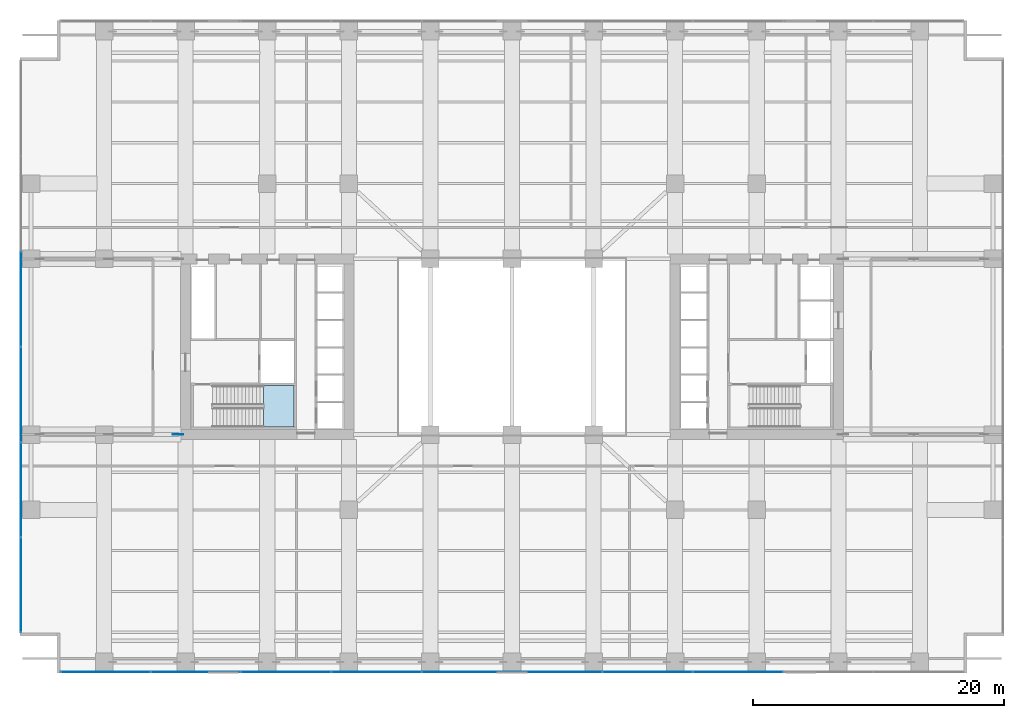
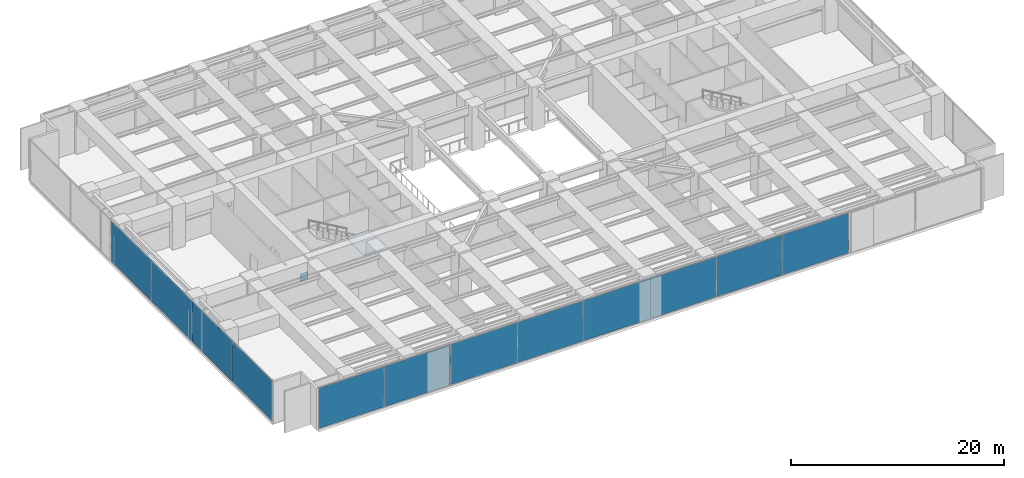
# One storey, part 15 of 31: 13 plates, 1 slab, 3 elements without a shape of their own.
"""IFC4 building model written with IfcOpenShell, lengths in metres."""

from ifc_helpers import new_model, si_unit, direction, frame, origin, origin_2d, place, context, subcontext, project, spatial, polyline, rectangle, outline, extrude, material, layer, layer_set, type_object, element, aggregate, save


model = new_model("IFC4")

# Units and contexts
model_context = context("Model", 3, precision=1e-05, world=origin(), true_north=direction((0.0, 1.0)))
body_context = subcontext(model_context, "Body", "Model", "MODEL_VIEW")
ifc_project = project(units=[si_unit("LENGTHUNIT", "METRE"), si_unit("AREAUNIT", "SQUARE_METRE"), si_unit("VOLUMEUNIT", "CUBIC_METRE"), si_unit("PLANEANGLEUNIT", "RADIAN"), si_unit("MASSUNIT", "GRAM", prefix="KILO")], contexts=[model_context])

# Site, building, storey
site_placement = place(None, origin())
site = spatial("IfcSite", under=ifc_project, at=site_placement, CompositionType="ELEMENT")
building_placement = place(site_placement, origin())
building = spatial("IfcBuilding", under=site, at=building_placement, Name="Putna Gate Headquarters", CompositionType="ELEMENT")
storey_placement = place(building_placement, frame((0.0, 0.0, 81.0)))
storey = spatial("IfcBuildingStorey", under=building, at=storey_placement, Name="L19", CompositionType="ELEMENT", Elevation=81.0)

# Stair, slab
ifc_material_1 = material(Name="Concrete C40/50", Category="concrete")
stair_type = type_object("IfcStairType", Name="STAIR-ST1", PredefinedType="HALF_TURN_STAIR", material=ifc_material_1)
stair_placement = place(storey_placement, origin())
stair = element("IfcStair", 1, at=stair_placement, inside=storey, type_object=stair_type, Name="L19 West Core Exit Stair ST1", PredefinedType="HALF_TURN_STAIR")
ifc_layer_1 = layer(ifc_material_1, 0.199951171875)
ifc_layer_set_1 = layer_set([ifc_layer_1], Name="Concrete C40/50")
slab_type = type_object("IfcSlabType", Name="LANDING-ST1", PredefinedType="LANDING", material=ifc_layer_set_1)
slab_placement = place(storey_placement, frame((0.0, 0.0, 2.300048828125)))
slab = element("IfcSlab", 2, at=slab_placement, type_object=slab_type, Name="ST1 landing 1", PredefinedType="LANDING", context=body_context, shape_type="SweptSolid", body=[
    extrude(outline(polyline([(19.2099609375, 19.60009765625), (21.64990234375, 19.60009765625), (21.64990234375, 22.89990234375), (19.2099609375, 22.89990234375), (19.2099609375, 19.60009765625)])), origin(), (0.0, 0.0, 1.0), 0.199951171875),
])
aggregate(stair, [slab])

# Curtain wall, plates
ifc_material_2 = material(Name="Anodised bronze aluminium curtain wall", Category="aluminium")
ifc_layer_2 = layer(ifc_material_2, 0.159912109375)
ifc_layer_set_2 = layer_set([ifc_layer_2], Name="Anodised bronze aluminium curtain wall")
curtain_wall_type = type_object("IfcCurtainWallType", Name="CW-SYS-CRN", PredefinedType="USERDEFINED", material=ifc_layer_set_2)
curtain_wall_1_placement = place(storey_placement, origin())
curtain_wall_1 = element("IfcCurtainWall", 3, at=curtain_wall_1_placement, inside=storey, type_object=curtain_wall_type, Name="L19 Acoustic Louvre South Enclosure", ObjectType="STICK CURTAIN WALL", PredefinedType="USERDEFINED")
ifc_material_3 = material(Name="Anodised bronze acoustic louvre panel", Category="aluminium")
ifc_layer_3 = layer(ifc_material_3, 0.044921875)
ifc_layer_set_3 = layer_set([ifc_layer_3], Name="Anodised bronze acoustic louvre panel")
plate_type_1 = type_object("IfcPlateType", Name="PAN-CWP-CR", PredefinedType="CURTAIN_PANEL", material=ifc_layer_set_3)
plate_1_placement = place(storey_placement, frame((6.6162109375, 0.080078125, 0.06494140625), z_axis=(0.0, 0.0, 1.0), x_axis=(1.0, 0.0, 0.0)))
plate_1 = element("IfcPlate", 4, at=plate_1_placement, type_object=plate_type_1, Name="CWS-CR panel 1.1", PredefinedType="CURTAIN_PANEL", context=body_context, shape_type="SweptSolid", body=[
    extrude(rectangle(XDim=7.1025390625, YDim=0.044921875, at=origin_2d()), origin(), (0.0, 0.0, 1.0), 4.635009765625),
])
plate_2_placement = place(storey_placement, frame((13.800048828125, 0.080078125, 0.06494140625), z_axis=(0.0, 0.0, 1.0), x_axis=(1.0, 0.0, 0.0)))
plate_2 = element("IfcPlate", 5, at=plate_2_placement, type_object=plate_type_1, Name="CWS-CR panel 2.1", PredefinedType="CURTAIN_PANEL", context=body_context, shape_type="SweptSolid", body=[
    extrude(rectangle(XDim=7.135009765625, YDim=0.044921875, at=origin_2d()), origin(), (0.0, 0.0, 1.0), 4.635009765625),
])
plate_3_placement = place(storey_placement, frame((21.0, 0.080078125, 0.06494140625), z_axis=(0.0, 0.0, 1.0), x_axis=(1.0, 0.0, 0.0)))
plate_3 = element("IfcPlate", 6, at=plate_3_placement, type_object=plate_type_1, Name="CWS-CR panel 3.1", PredefinedType="CURTAIN_PANEL", context=body_context, shape_type="SweptSolid", body=[
    extrude(rectangle(XDim=7.135009765625, YDim=0.044921875, at=origin_2d()), origin(), (0.0, 0.0, 1.0), 4.635009765625),
])
plate_4_placement = place(storey_placement, frame((28.199951171875, 0.080078125, 0.06494140625), z_axis=(0.0, 0.0, 1.0), x_axis=(1.0, 0.0, 0.0)))
plate_4 = element("IfcPlate", 7, at=plate_4_placement, type_object=plate_type_1, Name="CWS-CR panel 4.1", PredefinedType="CURTAIN_PANEL", context=body_context, shape_type="SweptSolid", body=[
    extrude(rectangle(XDim=7.135009765625, YDim=0.044921875, at=origin_2d()), origin(), (0.0, 0.0, 1.0), 4.635009765625),
])
plate_5_placement = place(storey_placement, frame((35.39990234375, 0.080078125, 0.06494140625), z_axis=(0.0, 0.0, 1.0), x_axis=(1.0, 0.0, 0.0)))
plate_5 = element("IfcPlate", 8, at=plate_5_placement, type_object=plate_type_1, Name="CWS-CR panel 5.1", PredefinedType="CURTAIN_PANEL", context=body_context, shape_type="SweptSolid", body=[
    extrude(rectangle(XDim=7.135009765625, YDim=0.044921875, at=origin_2d()), origin(), (0.0, 0.0, 1.0), 4.635009765625),
])
plate_6_placement = place(storey_placement, frame((42.60009765625, 0.080078125, 0.06494140625), z_axis=(0.0, 0.0, 1.0), x_axis=(1.0, 0.0, 0.0)))
plate_6 = element("IfcPlate", 9, at=plate_6_placement, type_object=plate_type_1, Name="CWS-CR panel 6.1", PredefinedType="CURTAIN_PANEL", context=body_context, shape_type="SweptSolid", body=[
    extrude(rectangle(XDim=7.135009765625, YDim=0.044921875, at=origin_2d()), origin(), (0.0, 0.0, 1.0), 4.635009765625),
])
plate_7_placement = place(storey_placement, frame((49.800048828125, 0.080078125, 0.06494140625), z_axis=(0.0, 0.0, 1.0), x_axis=(1.0, 0.0, 0.0)))
plate_7 = element("IfcPlate", 10, at=plate_7_placement, type_object=plate_type_1, Name="CWS-CR panel 7.1", PredefinedType="CURTAIN_PANEL", context=body_context, shape_type="SweptSolid", body=[
    extrude(rectangle(XDim=7.135009765625, YDim=0.044921875, at=origin_2d()), origin(), (0.0, 0.0, 1.0), 4.635009765625),
])
plate_8_placement = place(storey_placement, frame((57.0, 0.080078125, 0.06494140625), z_axis=(0.0, 0.0, 1.0), x_axis=(1.0, 0.0, 0.0)))
plate_8 = element("IfcPlate", 11, at=plate_8_placement, type_object=plate_type_1, Name="CWS-CR panel 8.1", PredefinedType="CURTAIN_PANEL", context=body_context, shape_type="SweptSolid", body=[
    extrude(rectangle(XDim=7.135009765625, YDim=0.044921875, at=origin_2d()), origin(), (0.0, 0.0, 1.0), 4.635009765625),
])
aggregate(curtain_wall_1, [plate_1, plate_2, plate_3, plate_4, plate_5, plate_6, plate_7, plate_8])

curtain_wall_2_placement = place(storey_placement, origin())
curtain_wall_2 = element("IfcCurtainWall", 12, at=curtain_wall_2_placement, inside=storey, type_object=curtain_wall_type, Name="L19 Acoustic Louvre West Enclosure", ObjectType="STICK CURTAIN WALL", PredefinedType="USERDEFINED")
plate_9_placement = place(storey_placement, frame((-0.1201171875, 7.016357421875, 0.06494140625), z_axis=(0.0, 0.0, 1.0), x_axis=(0.0, 1.0, 0.0)))
plate_9 = element("IfcPlate", 13, at=plate_9_placement, type_object=plate_type_1, Name="CWS-CR panel 1.1", PredefinedType="CURTAIN_PANEL", context=body_context, shape_type="SweptSolid", body=[
    extrude(rectangle(XDim=7.50244140625, YDim=0.044921875, at=origin_2d()), origin(), (0.0, 0.0, 1.0), 4.635009765625),
])
plate_10_placement = place(storey_placement, frame((-0.1201171875, 14.60009765625, 0.06494140625), z_axis=(0.0, 0.0, 1.0), x_axis=(0.0, 1.0, 0.0)))
plate_10 = element("IfcPlate", 14, at=plate_10_placement, type_object=plate_type_1, Name="CWS-CR panel 2.1", PredefinedType="CURTAIN_PANEL", context=body_context, shape_type="SweptSolid", body=[
    extrude(rectangle(XDim=7.534912109375, YDim=0.044921875, at=origin_2d()), origin(), (0.0, 0.0, 1.0), 4.635009765625),
])
plate_11_placement = place(storey_placement, frame((-0.1201171875, 22.199951171875, 0.06494140625), z_axis=(0.0, 0.0, 1.0), x_axis=(0.0, 1.0, 0.0)))
plate_11 = element("IfcPlate", 15, at=plate_11_placement, type_object=plate_type_1, Name="CWS-CR panel 3.1", PredefinedType="CURTAIN_PANEL", context=body_context, shape_type="SweptSolid", body=[
    extrude(rectangle(XDim=7.534912109375, YDim=0.044921875, at=origin_2d()), origin(), (0.0, 0.0, 1.0), 4.635009765625),
])
plate_12_placement = place(storey_placement, frame((-0.1201171875, 29.800048828125, 0.06494140625), z_axis=(0.0, 0.0, 1.0), x_axis=(0.0, 1.0, 0.0)))
plate_12 = element("IfcPlate", 16, at=plate_12_placement, type_object=plate_type_1, Name="CWS-CR panel 4.1", PredefinedType="CURTAIN_PANEL", context=body_context, shape_type="SweptSolid", body=[
    extrude(rectangle(XDim=7.534912109375, YDim=0.044921875, at=origin_2d()), origin(), (0.0, 0.0, 1.0), 4.635009765625),
])
aggregate(curtain_wall_2, [plate_9, plate_10, plate_11, plate_12])

# Plate
ifc_material_4 = material(Name="Steel S460M", Category="steel")
ifc_layer_4 = layer(ifc_material_4, 0.0400390625)
ifc_layer_set_4 = layer_set([ifc_layer_4], Name="Steel S460M")
plate_type_2 = type_object("IfcPlateType", Name="PLT-NODE-ON1", PredefinedType="SHEET", material=ifc_layer_set_4)
plate_13_placement = place(storey_placement, frame((12.3798828125, 19.0, 2.324951171875), z_axis=(0.0, 0.0, 1.0), x_axis=(1.0, 0.0, 0.0)))
element("IfcPlate", 17, at=plate_13_placement, inside=storey, type_object=plate_type_2, Name="L19 Outrigger Node Plate ON1 WS", PredefinedType="SHEET", context=body_context, shape_type="SweptSolid", body=[
    extrude(rectangle(XDim=0.85009765625, YDim=0.0400390625, at=origin_2d()), origin(), (0.0, 0.0, 1.0), 0.85009765625),
])

save(model, "model.ifc")
